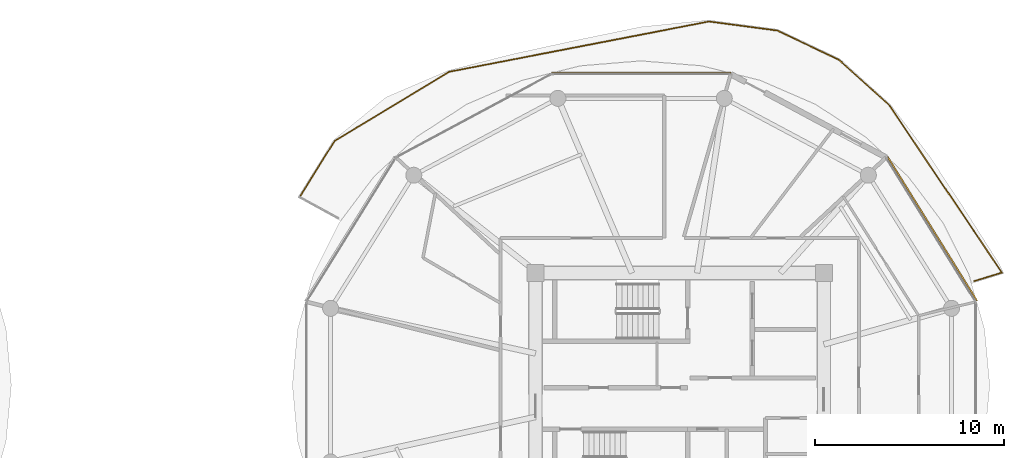
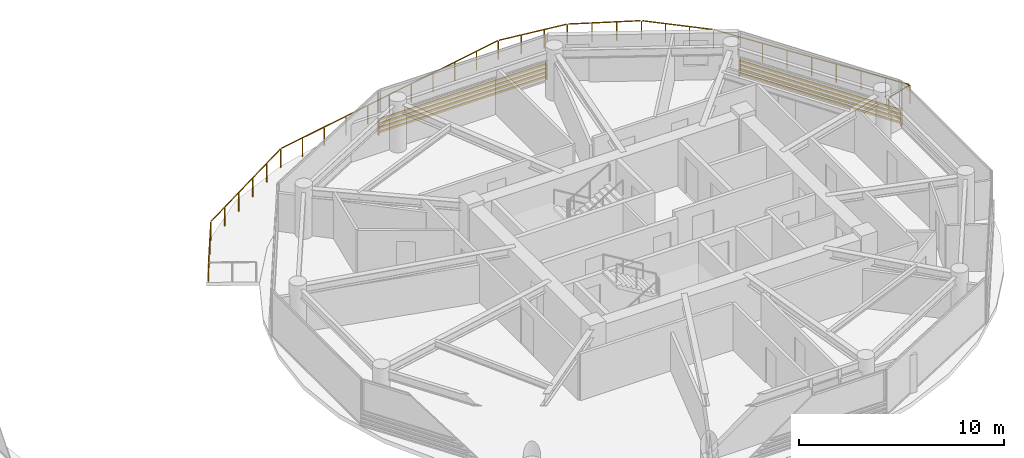
# One storey, part 24 of 24: 2 shading devices, 1 railing.
"""IFC4 building model written with IfcOpenShell, lengths in metres."""

from ifc_helpers import new_model, si_unit, direction, frame, origin, origin_2d, place, context, subcontext, project, spatial, rectangle, extrude, source, transform, mapped, material, type_object, type_shapes, element, save


model = new_model("IFC4")

# Units and contexts
model_context = context("Model", 3, precision=1e-05, world=origin(), true_north=direction((0.0, 1.0)))
body_context = subcontext(model_context, "Body", "Model", "MODEL_VIEW")
ifc_project = project(units=[si_unit("LENGTHUNIT", "METRE"), si_unit("AREAUNIT", "SQUARE_METRE"), si_unit("VOLUMEUNIT", "CUBIC_METRE"), si_unit("PLANEANGLEUNIT", "RADIAN"), si_unit("MASSUNIT", "GRAM", prefix="KILO")], contexts=[model_context])

# Site, building, storey
site_placement = place(None, origin())
site = spatial("IfcSite", under=ifc_project, at=site_placement, CompositionType="ELEMENT")
building_placement = place(site_placement, origin())
building = spatial("IfcBuilding", under=site, at=building_placement, Name="Norrkilde Senior Care Towers", CompositionType="ELEMENT")
storey_placement = place(building_placement, frame((0.0, 0.0, 111.5)))
storey = spatial("IfcBuildingStorey", under=building, at=storey_placement, Name="L34", CompositionType="ELEMENT", Elevation=111.5)

# Railing
ifc_material_1 = material(Name="Anodised Aluminium", Category="aluminium")
railing_type = type_object("IfcRailingType", Name="Balcony Swirl Ribbon Guardrail 1150", PredefinedType="GUARDRAIL", material=ifc_material_1)
railing_placement = place(storey_placement, frame((7.84716796875, 9.98828125, 0.0)))
element("IfcRailing", 1, at=railing_placement, inside=storey, type_object=railing_type, Name="L34 Perimeter Safety Guard 01", PredefinedType="GUARDRAIL", context=body_context, shape_type="SweptSolid", body=[
    extrude(rectangle(XDim=0.048095703125, YDim=0.048095703125, at=origin_2d()), frame((0.0, 0.0, 1.1259765625), z_axis=(0.528542245503, 0.848907000041, 0.0), x_axis=(-0.848907000041, 0.528542245503, 0.0)), (0.0, 0.0, 1.0), 3.44091796875),
    extrude(rectangle(XDim=0.048095703125, YDim=0.048095703125, at=origin_2d()), frame((1.875244140625, 2.97705078125, 1.1259765625), z_axis=(0.855397815299, 0.517971599203, 0.0), x_axis=(-0.517971599203, 0.855397815299, 0.0)), (0.0, 0.0, 1.0), 7.01611328125),
    extrude(rectangle(XDim=0.048095703125, YDim=0.048095703125, at=origin_2d()), frame((7.951904296875, 6.64013671875, 1.1259765625), z_axis=(0.981795734719, 0.189939820176, 0.0), x_axis=(-0.189939820176, 0.981795734719, 0.0)), (0.0, 0.0, 1.0), 13.974853515625),
    extrude(rectangle(XDim=0.048095703125, YDim=0.048095703125, at=origin_2d()), frame((21.753173828125, 9.296875, 1.1259765625), z_axis=(0.991299638065, -0.131624570546, 0.0), x_axis=(0.131624570546, 0.991299638065, 0.0)), (0.0, 0.0, 1.0), 3.566650390625),
    extrude(rectangle(XDim=0.048095703125, YDim=0.048095703125, at=origin_2d()), frame((25.3662109375, 8.804443359375, 1.1259765625), z_axis=(0.903371947898, -0.428857929564, 0.0), x_axis=(0.428857929564, 0.903371947898, 0.0)), (0.0, 0.0, 1.0), 3.549072265625),
    extrude(rectangle(XDim=0.048095703125, YDim=0.048095703125, at=origin_2d()), frame((28.6396484375, 7.237548828125, 1.1259765625), z_axis=(0.741366875301, -0.671099959922, 0.0), x_axis=(0.671099959922, 0.741366875301, 0.0)), (0.0, 0.0, 1.0), 3.514404296875),
    extrude(rectangle(XDim=0.048095703125, YDim=0.048095703125, at=origin_2d()), frame((31.298095703125, 4.817626953125, 1.1259765625), z_axis=(0.558080040643, -0.82978712224, 0.0), x_axis=(0.82978712224, 0.558080040643, 0.0)), (0.0, 0.0, 1.0), 10.60546875),
    extrude(rectangle(XDim=0.048095703125, YDim=0.048095703125, at=origin_2d()), frame((37.20068359375, -4.028564453125, 1.1259765625), z_axis=(-0.955816977606, -0.293962421613, 0.0), x_axis=(0.293962421613, -0.955816977606, 0.0)), (0.0, 0.0, 1.0), 1.488037109375),
    extrude(rectangle(XDim=0.0419921875, YDim=0.0419921875, at=origin_2d()), origin(), (0.0, 0.0, 1.0), 1.099853515625),
    extrude(rectangle(XDim=0.0419921875, YDim=0.0419921875, at=origin_2d()), frame((0.613525390625, 0.9853515625, 0.0)), (0.0, 0.0, 1.0), 1.099853515625),
    extrude(rectangle(XDim=0.0419921875, YDim=0.0419921875, at=origin_2d()), frame((1.226806640625, 1.970458984375, 0.0)), (0.0, 0.0, 1.0), 1.099853515625),
    extrude(rectangle(XDim=0.0419921875, YDim=0.0419921875, at=origin_2d()), frame((1.84033203125, 2.955810546875, 0.0)), (0.0, 0.0, 1.0), 1.099853515625),
    extrude(rectangle(XDim=0.0419921875, YDim=0.0419921875, at=origin_2d()), frame((3.0546875, 3.691162109375, 0.0)), (0.0, 0.0, 1.0), 1.099853515625),
    extrude(rectangle(XDim=0.0419921875, YDim=0.0419921875, at=origin_2d()), frame((4.26904296875, 4.426513671875, 0.0)), (0.0, 0.0, 1.0), 1.099853515625),
    extrude(rectangle(XDim=0.0419921875, YDim=0.0419921875, at=origin_2d()), frame((5.483154296875, 5.16162109375, 0.0)), (0.0, 0.0, 1.0), 1.099853515625),
    extrude(rectangle(XDim=0.0419921875, YDim=0.0419921875, at=origin_2d()), frame((6.697509765625, 5.89697265625, 0.0)), (0.0, 0.0, 1.0), 1.099853515625),
    extrude(rectangle(XDim=0.0419921875, YDim=0.0419921875, at=origin_2d()), frame((7.911865234375, 6.63232421875, 0.0)), (0.0, 0.0, 1.0), 1.099853515625),
    extrude(rectangle(XDim=0.0419921875, YDim=0.0419921875, at=origin_2d()), frame((9.2919921875, 6.8994140625, 0.0)), (0.0, 0.0, 1.0), 1.099853515625),
    extrude(rectangle(XDim=0.0419921875, YDim=0.0419921875, at=origin_2d()), frame((10.672119140625, 7.166259765625, 0.0)), (0.0, 0.0, 1.0), 1.099853515625),
    extrude(rectangle(XDim=0.0419921875, YDim=0.0419921875, at=origin_2d()), frame((12.052001953125, 7.433349609375, 0.0)), (0.0, 0.0, 1.0), 1.099853515625),
    extrude(rectangle(XDim=0.0419921875, YDim=0.0419921875, at=origin_2d()), frame((13.43212890625, 7.7001953125, 0.0)), (0.0, 0.0, 1.0), 1.099853515625),
    extrude(rectangle(XDim=0.0419921875, YDim=0.0419921875, at=origin_2d()), frame((14.812255859375, 7.96728515625, 0.0)), (0.0, 0.0, 1.0), 1.099853515625),
    extrude(rectangle(XDim=0.0419921875, YDim=0.0419921875, at=origin_2d()), frame((16.1923828125, 8.234375, 0.0)), (0.0, 0.0, 1.0), 1.099853515625),
    extrude(rectangle(XDim=0.0419921875, YDim=0.0419921875, at=origin_2d()), frame((17.572509765625, 8.501220703125, 0.0)), (0.0, 0.0, 1.0), 1.099853515625),
    extrude(rectangle(XDim=0.0419921875, YDim=0.0419921875, at=origin_2d()), frame((18.952392578125, 8.768310546875, 0.0)), (0.0, 0.0, 1.0), 1.099853515625),
    extrude(rectangle(XDim=0.0419921875, YDim=0.0419921875, at=origin_2d()), frame((20.33251953125, 9.03515625, 0.0)), (0.0, 0.0, 1.0), 1.099853515625),
    extrude(rectangle(XDim=0.0419921875, YDim=0.0419921875, at=origin_2d()), frame((21.712646484375, 9.30224609375, 0.0)), (0.0, 0.0, 1.0), 1.099853515625),
    extrude(rectangle(XDim=0.0419921875, YDim=0.0419921875, at=origin_2d()), frame((22.918212890625, 9.14208984375, 0.0)), (0.0, 0.0, 1.0), 1.099853515625),
    extrude(rectangle(XDim=0.0419921875, YDim=0.0419921875, at=origin_2d()), frame((24.123779296875, 8.982177734375, 0.0)), (0.0, 0.0, 1.0), 1.099853515625),
    extrude(rectangle(XDim=0.0419921875, YDim=0.0419921875, at=origin_2d()), frame((25.329345703125, 8.822021484375, 0.0)), (0.0, 0.0, 1.0), 1.099853515625),
    extrude(rectangle(XDim=0.0419921875, YDim=0.0419921875, at=origin_2d()), frame((26.422607421875, 8.302978515625, 0.0)), (0.0, 0.0, 1.0), 1.099853515625),
    extrude(rectangle(XDim=0.0419921875, YDim=0.0419921875, at=origin_2d()), frame((27.51611328125, 7.783935546875, 0.0)), (0.0, 0.0, 1.0), 1.099853515625),
    extrude(rectangle(XDim=0.0419921875, YDim=0.0419921875, at=origin_2d()), frame((28.609375, 7.264892578125, 0.0)), (0.0, 0.0, 1.0), 1.099853515625),
    extrude(rectangle(XDim=0.0419921875, YDim=0.0419921875, at=origin_2d()), frame((29.498046875, 6.46044921875, 0.0)), (0.0, 0.0, 1.0), 1.099853515625),
    extrude(rectangle(XDim=0.0419921875, YDim=0.0419921875, at=origin_2d()), frame((30.38671875, 5.656005859375, 0.0)), (0.0, 0.0, 1.0), 1.099853515625),
    extrude(rectangle(XDim=0.0419921875, YDim=0.0419921875, at=origin_2d()), frame((31.275390625, 4.8515625, 0.0)), (0.0, 0.0, 1.0), 1.099853515625),
    extrude(rectangle(XDim=0.0419921875, YDim=0.0419921875, at=origin_2d()), frame((32.02099609375, 3.7431640625, 0.0)), (0.0, 0.0, 1.0), 1.099853515625),
    extrude(rectangle(XDim=0.0419921875, YDim=0.0419921875, at=origin_2d()), frame((32.7666015625, 2.634521484375, 0.0)), (0.0, 0.0, 1.0), 1.099853515625),
    extrude(rectangle(XDim=0.0419921875, YDim=0.0419921875, at=origin_2d()), frame((33.511962890625, 1.52587890625, 0.0)), (0.0, 0.0, 1.0), 1.099853515625),
    extrude(rectangle(XDim=0.0419921875, YDim=0.0419921875, at=origin_2d()), frame((34.257568359375, 0.41748046875, 0.0)), (0.0, 0.0, 1.0), 1.099853515625),
    extrude(rectangle(XDim=0.0419921875, YDim=0.0419921875, at=origin_2d()), frame((35.003173828125, -0.69091796875, 0.0)), (0.0, 0.0, 1.0), 1.099853515625),
    extrude(rectangle(XDim=0.0419921875, YDim=0.0419921875, at=origin_2d()), frame((35.74853515625, -1.799560546875, 0.0)), (0.0, 0.0, 1.0), 1.099853515625),
    extrude(rectangle(XDim=0.0419921875, YDim=0.0419921875, at=origin_2d()), frame((36.494140625, -2.908203125, 0.0)), (0.0, 0.0, 1.0), 1.099853515625),
    extrude(rectangle(XDim=0.0419921875, YDim=0.0419921875, at=origin_2d()), frame((37.23974609375, -4.0166015625, 0.0)), (0.0, 0.0, 1.0), 1.099853515625),
    extrude(rectangle(XDim=0.0419921875, YDim=0.0419921875, at=origin_2d()), frame((36.509033203125, -4.2412109375, 0.0)), (0.0, 0.0, 1.0), 1.099853515625),
    extrude(rectangle(XDim=0.0419921875, YDim=0.0419921875, at=origin_2d()), frame((35.7783203125, -4.466064453125, 0.0)), (0.0, 0.0, 1.0), 1.099853515625),
])

# Shading devices
ifc_material_2 = material(Name="Architectural Terracotta", Category="masonry")
shading_device_type = type_object("IfcShadingDeviceType", Name="Horizontal Terracotta Baguette Rack", PredefinedType="USERDEFINED", material=ifc_material_2)
shared_shape_1 = source(origin(), body_context, "Body", "SweptSolid", [
    extrude(rectangle(XDim=0.070068359375, YDim=0.110107421875, at=origin_2d()), frame((0.0, 0.090087890625, 0.125), z_axis=(1.0, 0.0, 0.0), x_axis=(0.0, 1.0, 0.0)), (0.0, 0.0, 1.0), 9.01416015625),
    extrude(rectangle(XDim=0.070068359375, YDim=0.110107421875, at=origin_2d()), frame((0.0, 0.090087890625, 0.375), z_axis=(1.0, 0.0, 0.0), x_axis=(0.0, 1.0, 0.0)), (0.0, 0.0, 1.0), 9.01416015625),
    extrude(rectangle(XDim=0.070068359375, YDim=0.110107421875, at=origin_2d()), frame((0.0, 0.090087890625, 0.625), z_axis=(1.0, 0.0, 0.0), x_axis=(0.0, 1.0, 0.0)), (0.0, 0.0, 1.0), 9.01416015625),
    extrude(rectangle(XDim=0.070068359375, YDim=0.110107421875, at=origin_2d()), frame((0.0, 0.090087890625, 0.875), z_axis=(1.0, 0.0, 0.0), x_axis=(0.0, 1.0, 0.0)), (0.0, 0.0, 1.0), 9.01416015625),
    extrude(rectangle(XDim=0.050048828125, YDim=0.1552734375, at=origin_2d()), frame((0.02490234375, 0.047607421875, 0.0)), (0.0, 0.0, 1.0), 1.0),
    extrude(rectangle(XDim=0.050048828125, YDim=0.1552734375, at=origin_2d()), frame((8.9892578125, 0.047607421875, 0.0)), (0.0, 0.0, 1.0), 1.0),
])
shading_device_1_placement = place(storey_placement, frame((38.946533203125, 12.077392578125, 0.080078125), z_axis=(0.0, 0.0, 1.0), x_axis=(0.527734142246, -0.849412274525, 0.0)))
element("IfcShadingDevice", 2, at=shading_device_1_placement, inside=storey, type_object=shading_device_type, Name="L34 Drum E Terracotta Baguette Screen 00", ObjectType="BAGUETTE", PredefinedType="USERDEFINED", context=body_context, shape_type="MappedRepresentation", body=[
    mapped(shared_shape_1, transform((0.0, 0.0, 0.0), x_axis=(1.0, 0.0, 0.0), y_axis=(0.0, 1.0, 0.0), z_axis=(0.0, 0.0, 1.0), scale=1.0)),
])
shared_shape_2 = source(origin(), body_context, "Body", "SweptSolid", [
    extrude(rectangle(XDim=0.070068359375, YDim=0.110107421875, at=origin_2d()), frame((0.0, 0.090087890625, 0.125), z_axis=(1.0, 0.0, 0.0), x_axis=(0.0, 1.0, 0.0)), (0.0, 0.0, 1.0), 9.51416015625),
    extrude(rectangle(XDim=0.070068359375, YDim=0.110107421875, at=origin_2d()), frame((0.0, 0.090087890625, 0.375), z_axis=(1.0, 0.0, 0.0), x_axis=(0.0, 1.0, 0.0)), (0.0, 0.0, 1.0), 9.51416015625),
    extrude(rectangle(XDim=0.070068359375, YDim=0.110107421875, at=origin_2d()), frame((0.0, 0.090087890625, 0.625), z_axis=(1.0, 0.0, 0.0), x_axis=(0.0, 1.0, 0.0)), (0.0, 0.0, 1.0), 9.51416015625),
    extrude(rectangle(XDim=0.070068359375, YDim=0.110107421875, at=origin_2d()), frame((0.0, 0.090087890625, 0.875), z_axis=(1.0, 0.0, 0.0), x_axis=(0.0, 1.0, 0.0)), (0.0, 0.0, 1.0), 9.51416015625),
    extrude(rectangle(XDim=0.050048828125, YDim=0.1552734375, at=origin_2d()), frame((0.02490234375, 0.047607421875, 0.0)), (0.0, 0.0, 1.0), 1.0),
    extrude(rectangle(XDim=0.050048828125, YDim=0.1552734375, at=origin_2d()), frame((9.4892578125, 0.047607421875, 0.0)), (0.0, 0.0, 1.0), 1.0),
])
type_shapes(shading_device_type, [shared_shape_1, shared_shape_2])
shading_device_2_placement = place(storey_placement, frame((21.19287109375, 16.498046875, 0.080078125), z_axis=(0.0, 0.0, 1.0), x_axis=(1.0, 0.0, 0.0)))
element("IfcShadingDevice", 3, at=shading_device_2_placement, inside=storey, type_object=shading_device_type, Name="L34 Drum E Terracotta Baguette Screen 02", ObjectType="BAGUETTE", PredefinedType="USERDEFINED", context=body_context, shape_type="MappedRepresentation", body=[
    mapped(shared_shape_2, transform((0.0, 0.0, 0.0), x_axis=(1.0, 0.0, 0.0), y_axis=(0.0, 1.0, 0.0), z_axis=(0.0, 0.0, 1.0), scale=1.0)),
])

save(model, "model.ifc")
